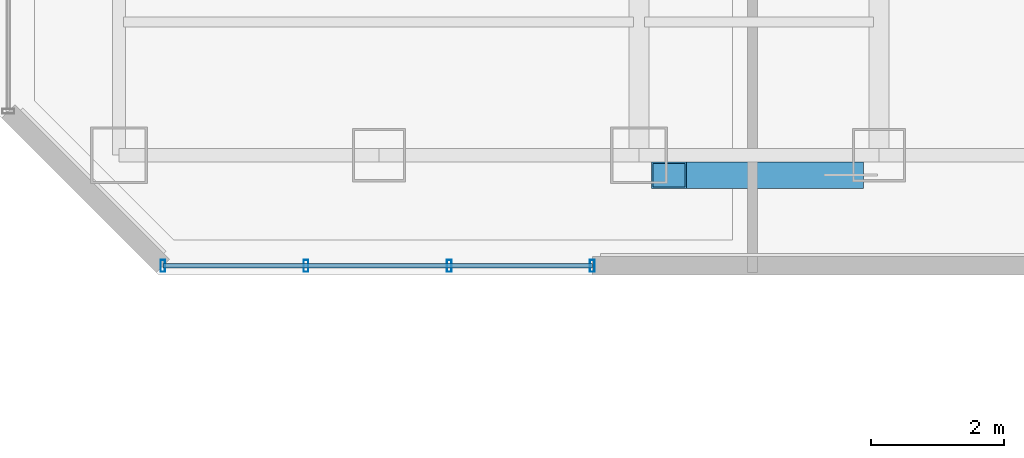
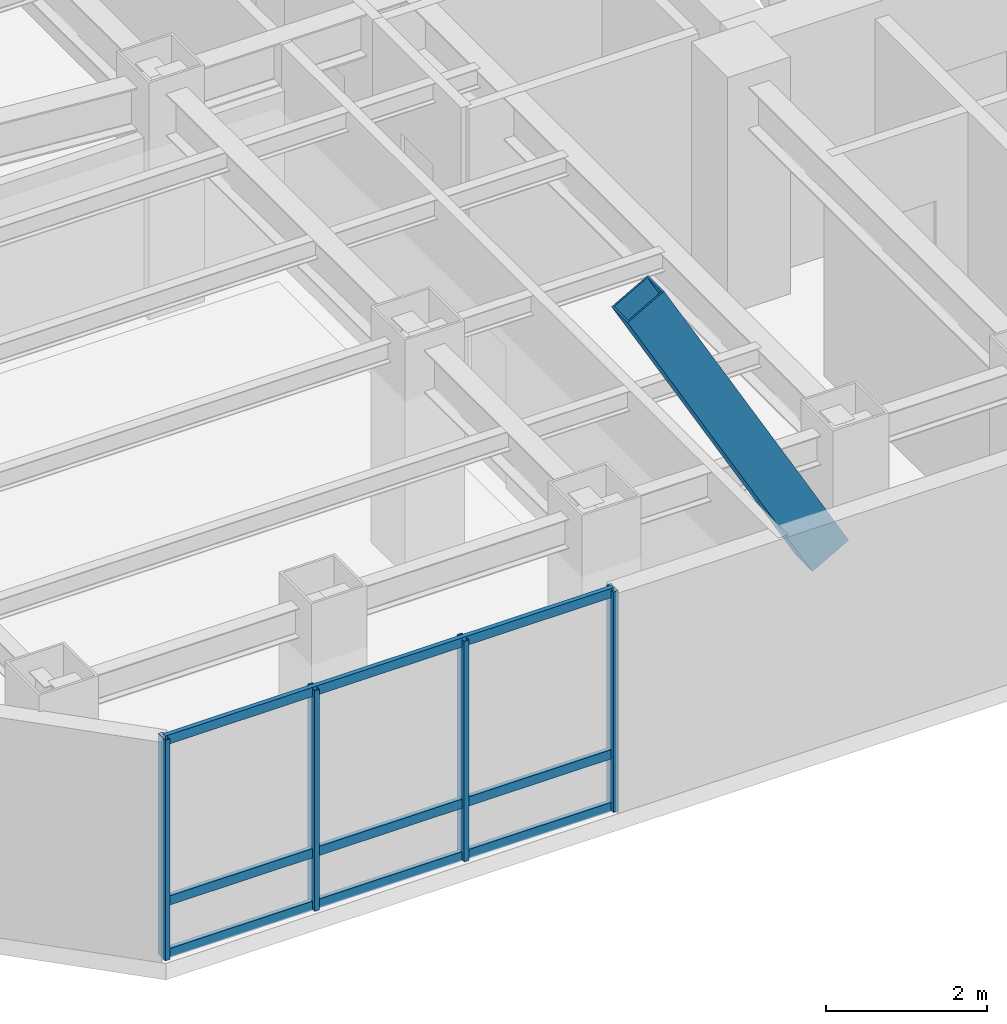
# One storey, part 2 of 28: 8 members, 1 element without a shape of its own.
"""IFC4 building model written with IfcOpenShell, lengths in metres."""

from ifc_helpers import new_model, si_unit, direction, frame, origin, origin_2d, place, context, subcontext, project, spatial, hollow_rectangle, extrude, material, layer, layer_set, material_profile, profile_set, type_object, element, aggregate, save


model = new_model("IFC4")

# Units and contexts
model_context = context("Model", 3, precision=1e-05, world=origin(), true_north=direction((0.0, 1.0)))
body_context = subcontext(model_context, "Body", "Model", "MODEL_VIEW")
ifc_project = project(units=[si_unit("LENGTHUNIT", "METRE"), si_unit("AREAUNIT", "SQUARE_METRE"), si_unit("VOLUMEUNIT", "CUBIC_METRE"), si_unit("PLANEANGLEUNIT", "RADIAN"), si_unit("MASSUNIT", "GRAM", prefix="KILO")], contexts=[model_context])

# Site, building, storey
site_placement = place(None, origin())
site = spatial("IfcSite", under=ifc_project, at=site_placement, CompositionType="ELEMENT")
building_placement = place(site_placement, origin())
building = spatial("IfcBuilding", under=site, at=building_placement, Name="Hatsunagi Terrace Concourse", CompositionType="ELEMENT")
storey_placement = place(building_placement, frame((0.0, 0.0, 138.449951171875)))
storey = spatial("IfcBuildingStorey", under=building, at=storey_placement, Name="L36", CompositionType="ELEMENT", Elevation=138.449951171875)

# Curtain wall, members
ifc_material_1 = material(Name="Anodised Aluminium Alloy 6063-T5", Category="aluminium")
ifc_layer = layer(ifc_material_1, 0.199951171875)
ifc_layer_set = layer_set([ifc_layer], Name="OfficeZone1_CW03")
curtain_wall_type = type_object("IfcCurtainWallType", Name="OfficeZone1_CW03", PredefinedType="NOTDEFINED", material=ifc_layer_set)
curtain_wall_placement = place(storey_placement, origin())
curtain_wall = element("IfcCurtainWall", 1, at=curtain_wall_placement, inside=storey, type_object=curtain_wall_type, Name="Unitised Curtain Wall CW-03 CW-L36-07", PredefinedType="NOTDEFINED")
ifc_material_2 = material(Name="Anodised Aluminium Alloy 6063-T5", Category="aluminium")
ifc_material_profile_1 = material_profile(ifc_material_2, hollow_rectangle(XDim=0.070068359375, YDim=0.179931640625, WallThickness=0.00390625, at=origin_2d()), Name="ALU-MUL-180x70x4")
ifc_profile_set_1 = profile_set([ifc_material_profile_1], Name="Anodised Aluminium Alloy 6063-T5")
member_type_1 = type_object("IfcMemberType", Name="CurtainWallMullion_180x70", PredefinedType="MULLION", material=ifc_profile_set_1)
member_1_placement = place(storey_placement, frame((18.5, 23.5400390625, 0.0), z_axis=(0.0, 0.0, 1.0), x_axis=(-1.0, 0.0, 0.0)))
member_1 = element("IfcMember", 2, at=member_1_placement, type_object=member_type_1, Name="Curtain Wall Mullion MUL-02", PredefinedType="MULLION", context=body_context, shape_type="SweptSolid", body=[
    extrude(hollow_rectangle(XDim=0.070068359375, YDim=0.179931640625, WallThickness=0.00390625, at=origin_2d()), origin(), (0.0, 0.0, 1.0), 3.35009765625),
])
member_2_placement = place(storey_placement, frame((16.35302734375, 23.5400390625, 0.0), z_axis=(0.0, 0.0, 1.0), x_axis=(-1.0, 0.0, 0.0)))
member_2 = element("IfcMember", 3, at=member_2_placement, type_object=member_type_1, Name="Curtain Wall Mullion MUL-02", PredefinedType="MULLION", context=body_context, shape_type="SweptSolid", body=[
    extrude(hollow_rectangle(XDim=0.070068359375, YDim=0.179931640625, WallThickness=0.00390625, at=origin_2d()), origin(), (0.0, 0.0, 1.0), 3.35009765625),
])
member_3_placement = place(storey_placement, frame((14.205078125, 23.5400390625, 0.0), z_axis=(0.0, 0.0, 1.0), x_axis=(-1.0, 0.0, 0.0)))
member_3 = element("IfcMember", 4, at=member_3_placement, type_object=member_type_1, Name="Curtain Wall Mullion MUL-02", PredefinedType="MULLION", context=body_context, shape_type="SweptSolid", body=[
    extrude(hollow_rectangle(XDim=0.070068359375, YDim=0.179931640625, WallThickness=0.00390625, at=origin_2d()), origin(), (0.0, 0.0, 1.0), 3.35009765625),
])
member_4_placement = place(storey_placement, frame((12.05810546875, 23.5400390625, 0.0), z_axis=(0.0, 0.0, 1.0), x_axis=(-1.0, 0.0, 0.0)))
member_4 = element("IfcMember", 5, at=member_4_placement, type_object=member_type_1, Name="Curtain Wall Mullion MUL-02", PredefinedType="MULLION", context=body_context, shape_type="SweptSolid", body=[
    extrude(hollow_rectangle(XDim=0.070068359375, YDim=0.179931640625, WallThickness=0.00390625, at=origin_2d()), origin(), (0.0, 0.0, 1.0), 3.35009765625),
])
ifc_material_3 = material(Name="Anodised Aluminium Alloy 6063-T5", Category="aluminium")
ifc_material_profile_2 = material_profile(ifc_material_3, hollow_rectangle(XDim=0.06494140625, YDim=0.139892578125, WallThickness=0.00390625, at=origin_2d()), Name="ALU-TRN-140x65x4")
ifc_profile_set_2 = profile_set([ifc_material_profile_2], Name="Anodised Aluminium Alloy 6063-T5")
member_type_2 = type_object("IfcMemberType", Name="CurtainWallTransom_140x65", PredefinedType="USERDEFINED", material=ifc_profile_set_2)
member_5_placement = place(storey_placement, frame((18.5, 23.5400390625, 0.050048828125), z_axis=(-1.0, 0.0, 0.0), x_axis=(0.0, -1.0, 0.0)))
member_5 = element("IfcMember", 6, at=member_5_placement, type_object=member_type_2, Name="Curtain Wall Transom TRN-02", ObjectType="TRANSOM", PredefinedType="USERDEFINED", context=body_context, shape_type="SweptSolid", body=[
    extrude(hollow_rectangle(XDim=0.06494140625, YDim=0.139892578125, WallThickness=0.00390625, at=origin_2d()), origin(), (0.0, 0.0, 1.0), 6.44189453125),
])
member_6_placement = place(storey_placement, frame((18.5, 23.5400390625, 0.85009765625), z_axis=(-1.0, 0.0, 0.0), x_axis=(0.0, -1.0, 0.0)))
member_6 = element("IfcMember", 7, at=member_6_placement, type_object=member_type_2, Name="Curtain Wall Transom TRN-02", ObjectType="TRANSOM", PredefinedType="USERDEFINED", context=body_context, shape_type="SweptSolid", body=[
    extrude(hollow_rectangle(XDim=0.06494140625, YDim=0.139892578125, WallThickness=0.00390625, at=origin_2d()), origin(), (0.0, 0.0, 1.0), 6.44189453125),
])
member_7_placement = place(storey_placement, frame((18.5, 23.5400390625, 3.300048828125), z_axis=(-1.0, 0.0, 0.0), x_axis=(0.0, -1.0, 0.0)))
member_7 = element("IfcMember", 8, at=member_7_placement, type_object=member_type_2, Name="Curtain Wall Transom TRN-02", ObjectType="TRANSOM", PredefinedType="USERDEFINED", context=body_context, shape_type="SweptSolid", body=[
    extrude(hollow_rectangle(XDim=0.06494140625, YDim=0.139892578125, WallThickness=0.00390625, at=origin_2d()), origin(), (0.0, 0.0, 1.0), 6.44189453125),
])
aggregate(curtain_wall, [member_1, member_2, member_3, member_4, member_5, member_6, member_7])

# Member
ifc_material_4 = material(Name="Steel SN490B", Category="steel")
ifc_material_profile_3 = material_profile(ifc_material_4, hollow_rectangle(XDim=0.39990234375, YDim=0.60009765625, WallThickness=0.02490234375, at=origin_2d()), Name="RHS-600x400x25")
ifc_profile_set_3 = profile_set([ifc_material_profile_3], Name="Steel SN490B")
member_type_3 = type_object("IfcMemberType", Name="PerimeterXBrace_Mid_RHS_600x400x25", PredefinedType="BRACE", material=ifc_profile_set_3)
member_8_placement = place(storey_placement, frame((19.64990234375, 24.89990234375, 6.510009765625), z_axis=(0.490963868484, 0.0, -0.8711799354), x_axis=(0.0, 1.0, 0.0)))
element("IfcMember", 9, at=member_8_placement, inside=storey, type_object=member_type_3, Name="Perimeter X-Brace Split Upper XB-02 XB-L35-W1B1", PredefinedType="BRACE", context=body_context, shape_type="SweptSolid", body=[
    extrude(hollow_rectangle(XDim=0.39990234375, YDim=0.60009765625, WallThickness=0.02490234375, at=origin_2d()), origin(), (0.0, 0.0, 1.0), 5.40966796875),
])

save(model, "model.ifc")
